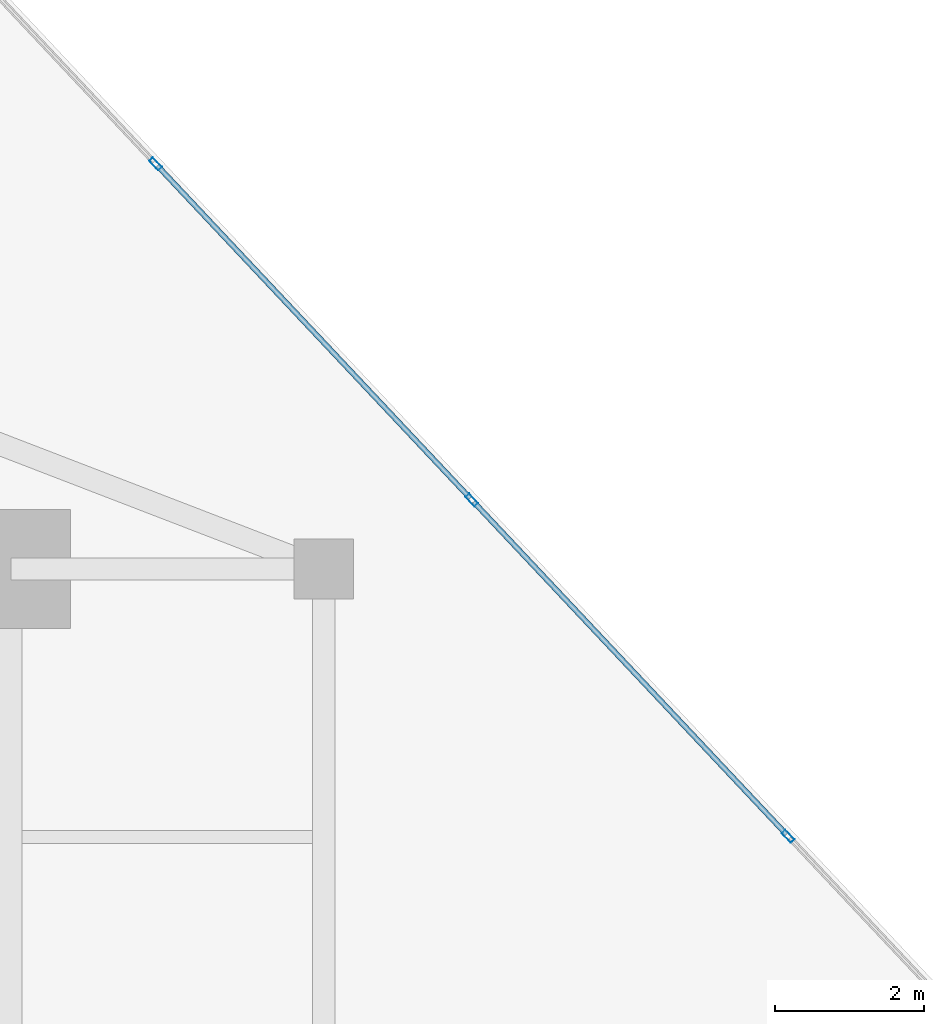
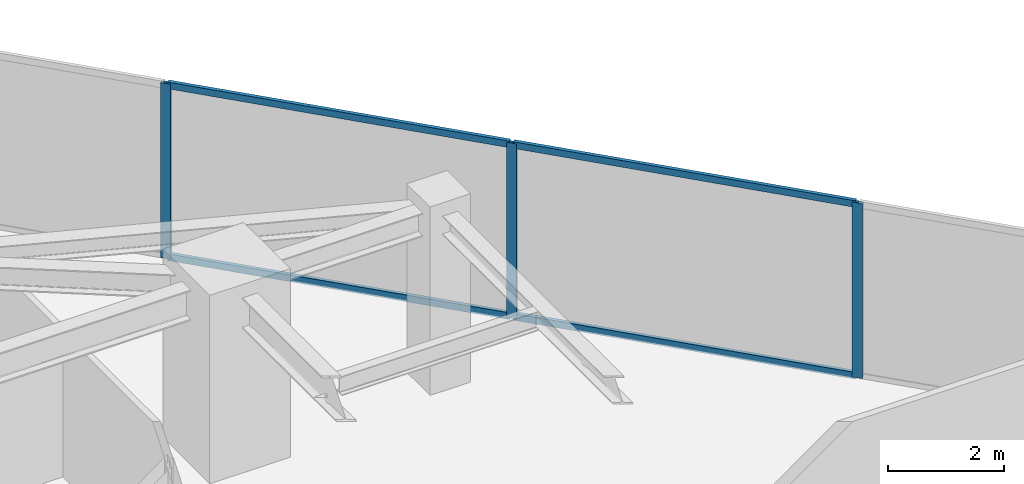
# One storey, part 18 of 24: 7 members, 1 element without a shape of its own.
"""IFC4 building model written with IfcOpenShell, lengths in metres."""

from ifc_helpers import new_model, si_unit, direction, frame, origin, origin_2d, place, context, subcontext, project, spatial, hollow_rectangle, extrude, source, transform, mapped, material, material_profile, profile_set, type_object, type_shapes, element, aggregate, save


model = new_model("IFC4")

# Units and contexts
model_context = context("Model", 3, precision=1e-05, world=origin(), true_north=direction((0.0, 1.0)))
body_context = subcontext(model_context, "Body", "Model", "MODEL_VIEW")
ifc_project = project(units=[si_unit("LENGTHUNIT", "METRE"), si_unit("AREAUNIT", "SQUARE_METRE"), si_unit("VOLUMEUNIT", "CUBIC_METRE"), si_unit("PLANEANGLEUNIT", "RADIAN"), si_unit("MASSUNIT", "GRAM", prefix="KILO")], contexts=[model_context])

# Site, building, storey
site_placement = place(None, origin())
site = spatial("IfcSite", under=ifc_project, at=site_placement, CompositionType="ELEMENT")
building_placement = place(site_placement, origin())
building = spatial("IfcBuilding", under=site, at=building_placement, Name="Krantzveldt Concourse Tower", CompositionType="ELEMENT")
storey_placement = place(building_placement, frame((0.0, 0.0, 246.800048828125)))
storey = spatial("IfcBuildingStorey", under=building, at=storey_placement, Name="L60", CompositionType="ELEMENT", Elevation=246.800048828125)

# Curtain wall, members
ifc_material = material(Name="Anodised aluminium 6063-T6", Category="aluminium")
curtain_wall_type = type_object("IfcCurtainWallType", Name="CW3", PredefinedType="USERDEFINED", material=ifc_material)
curtain_wall_placement = place(storey_placement, origin())
curtain_wall = element("IfcCurtainWall", 1, at=curtain_wall_placement, inside=storey, type_object=curtain_wall_type, Name="CW-L60-F14", ObjectType="UNITISED CURTAIN WALL", PredefinedType="USERDEFINED")
ifc_material_profile_1 = material_profile(ifc_material, hollow_rectangle(XDim=0.070068359375, YDim=0.179931640625, WallThickness=0.0048828125, at=origin_2d()), Name="Anodised aluminium 6063-T6", Category="aluminium")
ifc_profile_set_1 = profile_set([ifc_material_profile_1], Name="Anodised aluminium 6063-T6 - ALU-MULL 180x70x5")
member_type_1 = type_object("IfcMemberType", Name="CW-MUL-180", PredefinedType="MULLION", material=ifc_profile_set_1)
shared_shape_1 = source(origin(), body_context, "Body", "SweptSolid", [
    extrude(hollow_rectangle(XDim=0.070068359375, YDim=0.179931640625, WallThickness=0.0048828125, at=origin_2d()), origin(), (0.0, 0.0, 1.0), 3.669921875),
])
type_shapes(member_type_1, [shared_shape_1])
member_1_placement = place(storey_placement, frame((57.23828125, 33.91064453125, 0.0), z_axis=(0.0, 0.0, 1.0), x_axis=(-0.728371012348, -0.685182945184, 0.0)))
member_1 = element("IfcMember", 2, at=member_1_placement, type_object=member_type_1, Name="CW-Z34 mullion 2", PredefinedType="MULLION", context=body_context, shape_type="MappedRepresentation", body=[
    mapped(shared_shape_1, transform((0.0, 0.0, 0.0), x_axis=(1.0, 0.0, 0.0), y_axis=(0.0, 1.0, 0.0), z_axis=(0.0, 0.0, 1.0), scale=1.0)),
])
member_2_placement = place(storey_placement, frame((52.990234375, 38.426513671875, 0.0), z_axis=(0.0, 0.0, 1.0), x_axis=(-0.728371012348, -0.685182945184, 0.0)))
member_2 = element("IfcMember", 3, at=member_2_placement, type_object=member_type_1, Name="CW-Z34 mullion 3", PredefinedType="MULLION", context=body_context, shape_type="MappedRepresentation", body=[
    mapped(shared_shape_1, transform((0.0, 0.0, 0.0), x_axis=(1.0, 0.0, 0.0), y_axis=(0.0, 1.0, 0.0), z_axis=(0.0, 0.0, 1.0), scale=1.0)),
])
member_3_placement = place(storey_placement, frame((48.741943359375, 42.942626953125, 0.0), z_axis=(0.0, 0.0, 1.0), x_axis=(-0.728371012348, -0.685182945184, 0.0)))
member_3 = element("IfcMember", 4, at=member_3_placement, type_object=member_type_1, Name="CW-Z34 mullion 4", PredefinedType="MULLION", context=body_context, shape_type="MappedRepresentation", body=[
    mapped(shared_shape_1, transform((0.0, 0.0, 0.0), x_axis=(1.0, 0.0, 0.0), y_axis=(0.0, 1.0, 0.0), z_axis=(0.0, 0.0, 1.0), scale=1.0)),
])
ifc_material_profile_2 = material_profile(ifc_material, hollow_rectangle(XDim=0.070068359375, YDim=0.139892578125, WallThickness=0.0048828125, at=origin_2d()), Name="Anodised aluminium 6063-T6", Category="aluminium")
ifc_profile_set_2 = profile_set([ifc_material_profile_2], Name="Anodised aluminium 6063-T6 - ALU-TRAN 140x70x5")
member_type_2 = type_object("IfcMemberType", Name="CW-TRN-150", PredefinedType="USERDEFINED", material=ifc_profile_set_2)
shared_shape_2 = source(origin(), body_context, "Body", "SweptSolid", [
    extrude(hollow_rectangle(XDim=0.070068359375, YDim=0.139892578125, WallThickness=0.0048828125, at=origin_2d()), origin(), (0.0, 0.0, 1.0), 6.1298828125),
])
type_shapes(member_type_2, [shared_shape_2])
member_4_placement = place(storey_placement, frame((57.21435546875, 33.936279296875, 0.034912109375), z_axis=(-0.685190754255, 0.72836366623, 0.0), x_axis=(-0.72836366623, -0.685190754255, 0.0)))
member_4 = element("IfcMember", 5, at=member_4_placement, type_object=member_type_2, Name="CW-Z34 transom 2.1", ObjectType="TRANSOM", PredefinedType="USERDEFINED", context=body_context, shape_type="MappedRepresentation", body=[
    mapped(shared_shape_2, transform((0.0, 0.0, 0.0), x_axis=(1.0, 0.0, 0.0), y_axis=(0.0, 1.0, 0.0), z_axis=(0.0, 0.0, 1.0), scale=1.0)),
])
member_5_placement = place(storey_placement, frame((57.21435546875, 33.936279296875, 3.635009765625), z_axis=(-0.685190754255, 0.72836366623, 0.0), x_axis=(-0.72836366623, -0.685190754255, 0.0)))
member_5 = element("IfcMember", 6, at=member_5_placement, type_object=member_type_2, Name="CW-Z34 transom 2.2", ObjectType="TRANSOM", PredefinedType="USERDEFINED", context=body_context, shape_type="MappedRepresentation", body=[
    mapped(shared_shape_2, transform((0.0, 0.0, 0.0), x_axis=(1.0, 0.0, 0.0), y_axis=(0.0, 1.0, 0.0), z_axis=(0.0, 0.0, 1.0), scale=1.0)),
])
member_6_placement = place(storey_placement, frame((52.966064453125, 38.4521484375, 0.034912109375), z_axis=(-0.685190754255, 0.72836366623, 0.0), x_axis=(-0.72836366623, -0.685190754255, 0.0)))
member_6 = element("IfcMember", 7, at=member_6_placement, type_object=member_type_2, Name="CW-Z34 transom 3.1", ObjectType="TRANSOM", PredefinedType="USERDEFINED", context=body_context, shape_type="MappedRepresentation", body=[
    mapped(shared_shape_2, transform((0.0, 0.0, 0.0), x_axis=(1.0, 0.0, 0.0), y_axis=(0.0, 1.0, 0.0), z_axis=(0.0, 0.0, 1.0), scale=1.0)),
])
member_7_placement = place(storey_placement, frame((52.966064453125, 38.4521484375, 3.635009765625), z_axis=(-0.685190754255, 0.72836366623, 0.0), x_axis=(-0.72836366623, -0.685190754255, 0.0)))
member_7 = element("IfcMember", 8, at=member_7_placement, type_object=member_type_2, Name="CW-Z34 transom 3.2", ObjectType="TRANSOM", PredefinedType="USERDEFINED", context=body_context, shape_type="MappedRepresentation", body=[
    mapped(shared_shape_2, transform((0.0, 0.0, 0.0), x_axis=(1.0, 0.0, 0.0), y_axis=(0.0, 1.0, 0.0), z_axis=(0.0, 0.0, 1.0), scale=1.0)),
])
aggregate(curtain_wall, [member_1, member_2, member_3, member_4, member_5, member_6, member_7])

save(model, "model.ifc")
